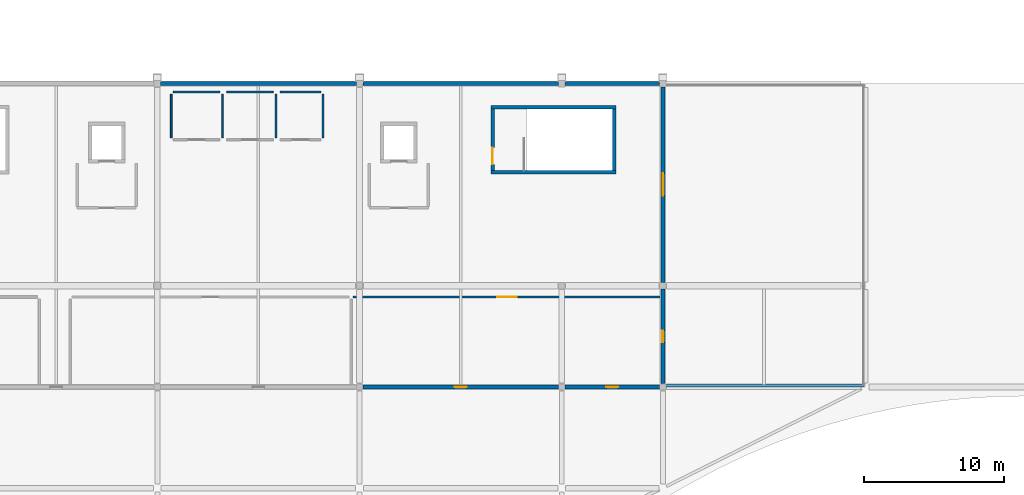
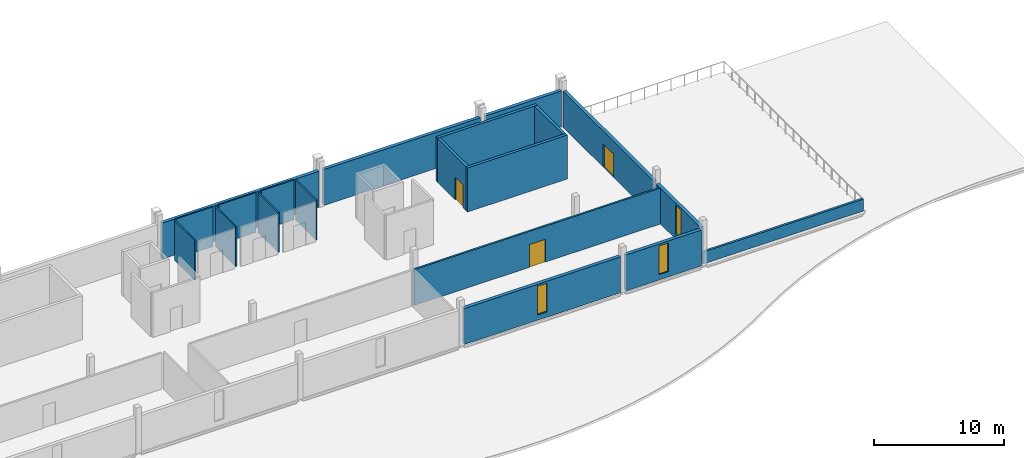
# One storey, part 7 of 23: 20 walls, 3 doors, 3 windows, 6 openings.
"""IFC4 building model written with IfcOpenShell, lengths in metres."""

from ifc_helpers import new_model, si_unit, direction, frame, frame_2d, origin, place, context, subcontext, project, spatial, rectangle, extrude, material, layer, layer_set, type_object, element, fill, save


model = new_model("IFC4")

# Units and contexts
model_context = context("Model", 3, precision=1e-05, world=origin(), true_north=direction((0.0, 1.0)))
body_context = subcontext(model_context, "Body", "Model", "MODEL_VIEW")
ifc_project = project(units=[si_unit("LENGTHUNIT", "METRE"), si_unit("AREAUNIT", "SQUARE_METRE"), si_unit("VOLUMEUNIT", "CUBIC_METRE"), si_unit("PLANEANGLEUNIT", "RADIAN"), si_unit("MASSUNIT", "GRAM", prefix="KILO")], contexts=[model_context])

# Site, building, storey
site_placement = place(None, origin())
site = spatial("IfcSite", under=ifc_project, at=site_placement, CompositionType="ELEMENT")
building_placement = place(site_placement, origin())
building = spatial("IfcBuilding", under=site, at=building_placement, Name="Cendralis Lancet Convention Centre", CompositionType="ELEMENT")
storey_placement = place(building_placement, frame((0.0, 0.0, 19.800048828125)))
storey = spatial("IfcBuildingStorey", under=building, at=storey_placement, Name="L04", CompositionType="ELEMENT", Elevation=19.800048828125)

# Walls
ifc_material_1 = material(Name="Buff sandstone ashlar and Concrete G40 (C40/50)", Category="masonry")
ifc_layer_1 = layer(ifc_material_1, 0.18994140625, Name="Buff sandstone ashlar and Concrete G40 (C40/50)")
ifc_layer_set_1 = layer_set([ifc_layer_1], Name="Buff sandstone ashlar and Concrete G40 (C40/50)")
wall_type_1 = type_object("IfcWallType", Name="ARC-EW-P190", PredefinedType="PARAPET", material=ifc_layer_set_1)
wall_1_placement = place(storey_placement, frame((79.199951171875, 14.5, 0.0), z_axis=(0.0, 0.0, 1.0), x_axis=(1.0, 0.0, 0.0)))
element("IfcWall", 1, at=wall_1_placement, inside=storey, type_object=wall_type_1, Name="L04 Roof Parapet Wall PR-02 #010", PredefinedType="PARAPET", context=body_context, shape_type="SweptSolid", body=[
    extrude(rectangle(XDim=14.280029296875, YDim=0.18994140625, at=frame_2d((7.14013671875, 0.0))), origin(), (0.0, 0.0, 1.0), 1.119873046875),
])
ifc_layer_2 = layer(ifc_material_1, 0.300048828125, Name="Buff sandstone ashlar and Concrete G40 (C40/50)")
ifc_layer_set_2 = layer_set([ifc_layer_2], Name="Buff sandstone ashlar and Concrete G40 (C40/50)")
wall_type_2 = type_object("IfcWallType", Name="ARC-EW-W300", PredefinedType="STANDARD", material=ifc_layer_set_2)
wall_2_placement = place(storey_placement, frame((43.43310546875, 36.0, 0.0), z_axis=(0.0, 0.0, 1.0), x_axis=(1.0, 0.0, 0.0)))
element("IfcWall", 2, at=wall_2_placement, inside=storey, type_object=wall_type_2, Name="L04 V4 Exterior Wall EW-07 #0235", PredefinedType="STANDARD", context=body_context, shape_type="SweptSolid", body=[
    extrude(rectangle(XDim=13.933837890625, YDim=0.300048828125, at=frame_2d((6.966796875, 0.0))), origin(), (0.0, 0.0, 1.0), 3.385009765625),
])
wall_3_placement = place(storey_placement, frame((57.8330078125, 36.0, 0.0), z_axis=(0.0, 0.0, 1.0), x_axis=(1.0, 0.0, 0.0)))
element("IfcWall", 3, at=wall_3_placement, inside=storey, type_object=wall_type_2, Name="L04 V4 Exterior Wall EW-07 #0237", PredefinedType="STANDARD", context=body_context, shape_type="SweptSolid", body=[
    extrude(rectangle(XDim=13.93408203125, YDim=0.300048828125, at=frame_2d((6.967041015625, 0.0))), origin(), (0.0, 0.0, 1.0), 3.385009765625),
])

# Wall, opening, window
wall_4_placement = place(storey_placement, frame((71.76708984375, 14.39990234375, 0.0), z_axis=(0.0, 0.0, 1.0), x_axis=(-1.0, 0.0, 0.0)))
wall_4 = element("IfcWall", 4, at=wall_4_placement, inside=storey, type_object=wall_type_2, Name="L04 V4 Exterior Wall EW-07 #0238", PredefinedType="STANDARD", context=body_context, shape_type="SweptSolid", body=[
    extrude(rectangle(XDim=13.93408203125, YDim=0.300048828125, at=frame_2d((6.967041015625, 0.0))), origin(), (0.0, 0.0, 1.0), 3.385009765625),
])
opening_1_placement = place(wall_4_placement, frame((6.547119140625, 0.0, 0.5)))
opening_1 = element("IfcOpeningElement", 5, at=opening_1_placement, cuts=wall_4, Name="Opening WN-15", PredefinedType="OPENING", context=body_context, shape_type="SweptSolid", body=[
    extrude(rectangle(XDim=0.840087890625, YDim=2.699951171875, at=frame_2d((0.419921875, 1.35009765625))), frame((0.0, 0.159912109375, 0.0), z_axis=(0.0, -1.0, 0.0), x_axis=(1.0, 0.0, 0.0)), (0.0, 0.0, 1.0), 0.320068359375),
])
ifc_material_2 = material(Name="Double-glazed low-E solar-control glass", Category="glass")
window_type = type_object("IfcWindowType", Name="ARC-WN-LW15", PartitioningType="SINGLE_PANEL", PredefinedType="WINDOW", material=ifc_material_2)
window_1_placement = place(opening_1_placement, origin())
window_1 = element("IfcWindow", 6, at=window_1_placement, inside=storey, type_object=window_type, Name="Gothic Lancet Window WN-15 #0469", OverallHeight=2.699951171875, OverallWidth=0.840087890625, PartitioningType="SINGLE_PANEL", PredefinedType="WINDOW", context=body_context, shape_type="SweptSolid", body=[
    extrude(rectangle(XDim=0.840087890625, YDim=2.699951171875, at=frame_2d((0.419921875, 1.35009765625))), frame((0.0, 0.030029296875, 0.0), z_axis=(0.0, -1.0, 0.0), x_axis=(1.0, 0.0, 0.0)), (0.0, 0.0, 1.0), 0.06005859375),
])
fill(opening_1, window_1)

# Wall
wall_5_placement = place(storey_placement, frame((72.23291015625, 36.0, 0.0), z_axis=(0.0, 0.0, 1.0), x_axis=(1.0, 0.0, 0.0)))
element("IfcWall", 7, at=wall_5_placement, inside=storey, type_object=wall_type_2, Name="L04 V4 Exterior Wall EW-07 #0239", PredefinedType="STANDARD", context=body_context, shape_type="SweptSolid", body=[
    extrude(rectangle(XDim=6.734130859375, YDim=0.300048828125, at=frame_2d((3.3671875, 0.0))), origin(), (0.0, 0.0, 1.0), 3.385009765625),
])

# Wall, opening, window
wall_6_placement = place(storey_placement, frame((78.967041015625, 14.39990234375, 0.0), z_axis=(0.0, 0.0, 1.0), x_axis=(-1.0, 0.0, 0.0)))
wall_6 = element("IfcWall", 8, at=wall_6_placement, inside=storey, type_object=wall_type_2, Name="L04 V4 Exterior Wall EW-07 #0240", PredefinedType="STANDARD", context=body_context, shape_type="SweptSolid", body=[
    extrude(rectangle(XDim=6.734130859375, YDim=0.300048828125, at=frame_2d((3.3671875, 0.0))), origin(), (0.0, 0.0, 1.0), 3.385009765625),
])
opening_2_placement = place(wall_6_placement, frame((2.947021484375, 0.0, 0.5)))
opening_2 = element("IfcOpeningElement", 9, at=opening_2_placement, cuts=wall_6, Name="Opening WN-15", PredefinedType="OPENING", context=body_context, shape_type="SweptSolid", body=[
    extrude(rectangle(XDim=0.840087890625, YDim=2.699951171875, at=frame_2d((0.419921875, 1.35009765625))), frame((0.0, 0.159912109375, 0.0), z_axis=(0.0, -1.0, 0.0), x_axis=(1.0, 0.0, 0.0)), (0.0, 0.0, 1.0), 0.320068359375),
])
window_2_placement = place(opening_2_placement, origin())
window_2 = element("IfcWindow", 10, at=window_2_placement, inside=storey, type_object=window_type, Name="Gothic Lancet Window WN-15 #0470", OverallHeight=2.699951171875, OverallWidth=0.840087890625, PartitioningType="SINGLE_PANEL", PredefinedType="WINDOW", context=body_context, shape_type="SweptSolid", body=[
    extrude(rectangle(XDim=0.840087890625, YDim=2.699951171875, at=frame_2d((0.419921875, 1.35009765625))), frame((0.0, 0.030029296875, 0.0), z_axis=(0.0, -1.0, 0.0), x_axis=(1.0, 0.0, 0.0)), (0.0, 0.0, 1.0), 0.06005859375),
])
fill(opening_2, window_2)

# Wall, opening, door
wall_7_placement = place(storey_placement, frame((79.199951171875, 35.76708984375, 0.0), z_axis=(0.0, 0.0, 1.0), x_axis=(0.0, -1.0, 0.0)))
wall_7 = element("IfcWall", 11, at=wall_7_placement, inside=storey, type_object=wall_type_2, Name="L04 V4 Exterior Wall EW-07 #0243", PredefinedType="STANDARD", context=body_context, shape_type="SweptSolid", body=[
    extrude(rectangle(XDim=13.93408203125, YDim=0.300048828125, at=frame_2d((6.967041015625, 0.0))), origin(), (0.0, 0.0, 1.0), 3.385009765625),
])
opening_3_placement = place(wall_7_placement, frame((6.1669921875, 0.0, 0.0)))
opening_3 = element("IfcOpeningElement", 12, at=opening_3_placement, cuts=wall_7, Name="Opening TR-D1", PredefinedType="OPENING", context=body_context, shape_type="SweptSolid", body=[
    extrude(rectangle(XDim=1.60009765625, YDim=2.199951171875, at=frame_2d((0.800048828125, 1.10009765625))), frame((0.0, 0.159912109375, 0.0), z_axis=(0.0, -1.0, 0.0), x_axis=(1.0, 0.0, 0.0)), (0.0, 0.0, 1.0), 0.320068359375),
])
ifc_material_3 = material(Name="Anodised bronze architectural aluminium", Category="aluminium")
door_type_1 = type_object("IfcDoorType", Name="ARC-DR-TR16", OperationType="NOTDEFINED", PredefinedType="DOOR", material=ifc_material_3)
door_1_placement = place(opening_3_placement, origin())
door_1 = element("IfcDoor", 13, at=door_1_placement, inside=storey, type_object=door_type_1, Name="L04-D002 Terrace Access Door #051", OperationType="DOUBLE_DOOR_SINGLE_SWING", OverallHeight=2.199951171875, OverallWidth=1.60009765625, PredefinedType="DOOR", context=body_context, shape_type="SweptSolid", body=[
    extrude(rectangle(XDim=1.60009765625, YDim=2.199951171875, at=frame_2d((0.800048828125, 1.10009765625))), frame((0.0, 0.02490234375, 0.0), z_axis=(0.0, -1.0, 0.0), x_axis=(1.0, 0.0, 0.0)), (0.0, 0.0, 1.0), 0.050048828125),
])
fill(opening_3, door_1)

# Wall, opening, window
wall_8_placement = place(storey_placement, frame((79.199951171875, 21.366943359375, 0.0), z_axis=(0.0, 0.0, 1.0), x_axis=(0.0, -1.0, 0.0)))
wall_8 = element("IfcWall", 14, at=wall_8_placement, inside=storey, type_object=wall_type_2, Name="L04 V4 Exterior Wall EW-07 #0244", PredefinedType="STANDARD", context=body_context, shape_type="SweptSolid", body=[
    extrude(rectangle(XDim=6.73388671875, YDim=0.300048828125, at=frame_2d((3.366943359375, 0.0))), origin(), (0.0, 0.0, 1.0), 3.385009765625),
])
opening_4_placement = place(wall_8_placement, frame((2.947021484375, 0.0, 0.5)))
opening_4 = element("IfcOpeningElement", 15, at=opening_4_placement, cuts=wall_8, Name="Opening WN-15", PredefinedType="OPENING", context=body_context, shape_type="SweptSolid", body=[
    extrude(rectangle(XDim=0.840087890625, YDim=2.699951171875, at=frame_2d((0.419921875, 1.35009765625))), frame((0.0, 0.159912109375, 0.0), z_axis=(0.0, -1.0, 0.0), x_axis=(1.0, 0.0, 0.0)), (0.0, 0.0, 1.0), 0.320068359375),
])
window_3_placement = place(opening_4_placement, origin())
window_3 = element("IfcWindow", 16, at=window_3_placement, inside=storey, type_object=window_type, Name="Gothic Lancet Window WN-15 #0471", OverallHeight=2.699951171875, OverallWidth=0.840087890625, PartitioningType="SINGLE_PANEL", PredefinedType="WINDOW", context=body_context, shape_type="SweptSolid", body=[
    extrude(rectangle(XDim=0.840087890625, YDim=2.699951171875, at=frame_2d((0.419921875, 1.35009765625))), frame((0.0, 0.030029296875, 0.0), z_axis=(0.0, -1.0, 0.0), x_axis=(1.0, 0.0, 0.0)), (0.0, 0.0, 1.0), 0.06005859375),
])
fill(opening_4, window_3)

# Walls
ifc_material_4 = material(Name="Acoustic fire-rated gypsum board on steel studs", Category="steel")
ifc_layer_3 = layer(ifc_material_4, 0.1201171875, Name="Acoustic fire-rated gypsum board on steel studs")
ifc_layer_set_3 = layer_set([ifc_layer_3], Name="Acoustic fire-rated gypsum board on steel studs")
wall_type_3 = type_object("IfcWallType", Name="ARC-IW-P120", PredefinedType="PARTITIONING", material=ifc_layer_set_3)
wall_9_placement = place(storey_placement, frame((44.35009765625, 35.39990234375, 0.0), z_axis=(0.0, 0.0, 1.0), x_axis=(1.0, 0.0, 0.0)))
element("IfcWall", 17, at=wall_9_placement, inside=storey, type_object=wall_type_3, Name="L04 Interior Partition IW-05 #0315", PredefinedType="PARTITIONING", context=body_context, shape_type="SweptSolid", body=[
    extrude(rectangle(XDim=3.2998046875, YDim=0.1201171875, at=frame_2d((1.64990234375, 0.0))), origin(), (0.0, 0.0, 1.0), 3.75),
])
for number, where, z_axis, x_axis, name in (
    (18, (44.199951171875, 32.139892578125, 0.0), (0.0, 0.0, 1.0), (0.0, 1.0, 0.0), "L04 Interior Partition IW-05 #0316"),
    (19, (47.85009765625, 32.139892578125, 0.0), (0.0, 0.0, 1.0), (0.0, 1.0, 0.0), "L04 Interior Partition IW-05 #0317"),
):
    element("IfcWall", number, at=place(storey_placement, frame(where, z_axis=z_axis, x_axis=x_axis)), inside=storey, type_object=wall_type_3, Name=name, PredefinedType="PARTITIONING", context=body_context, shape_type="SweptSolid", body=[
        extrude(rectangle(XDim=3.1201171875, YDim=0.1201171875, at=frame_2d((1.56005859375, 0.0))), origin(), (0.0, 0.0, 1.0), 3.75),
    ])
wall_10_placement = place(storey_placement, frame((48.14990234375, 35.39990234375, 0.0), z_axis=(0.0, 0.0, 1.0), x_axis=(1.0, 0.0, 0.0)))
element("IfcWall", 20, at=wall_10_placement, inside=storey, type_object=wall_type_3, Name="L04 Interior Partition IW-05 #0319", PredefinedType="PARTITIONING", context=body_context, shape_type="SweptSolid", body=[
    extrude(rectangle(XDim=3.300048828125, YDim=0.1201171875, at=frame_2d((1.64990234375, 0.0))), origin(), (0.0, 0.0, 1.0), 3.75),
])
wall_11_placement = place(storey_placement, frame((51.64990234375, 32.139892578125, 0.0), z_axis=(0.0, 0.0, 1.0), x_axis=(0.0, 1.0, 0.0)))
element("IfcWall", 21, at=wall_11_placement, inside=storey, type_object=wall_type_3, Name="L04 Interior Partition IW-05 #0320", PredefinedType="PARTITIONING", context=body_context, shape_type="SweptSolid", body=[
    extrude(rectangle(XDim=3.1201171875, YDim=0.1201171875, at=frame_2d((1.56005859375, 0.0))), origin(), (0.0, 0.0, 1.0), 3.75),
])
wall_12_placement = place(storey_placement, frame((51.949951171875, 35.39990234375, 0.0), z_axis=(0.0, 0.0, 1.0), x_axis=(1.0, 0.0, 0.0)))
element("IfcWall", 22, at=wall_12_placement, inside=storey, type_object=wall_type_3, Name="L04 Interior Partition IW-05 #0322", PredefinedType="PARTITIONING", context=body_context, shape_type="SweptSolid", body=[
    extrude(rectangle(XDim=2.900146484375, YDim=0.1201171875, at=frame_2d((1.4501953125, 0.0))), origin(), (0.0, 0.0, 1.0), 3.75),
])
wall_13_placement = place(storey_placement, frame((55.0, 32.139892578125, 0.0), z_axis=(0.0, 0.0, 1.0), x_axis=(0.0, 1.0, 0.0)))
element("IfcWall", 23, at=wall_13_placement, inside=storey, type_object=wall_type_3, Name="L04 Interior Partition IW-05 #0323", PredefinedType="PARTITIONING", context=body_context, shape_type="SweptSolid", body=[
    extrude(rectangle(XDim=3.1201171875, YDim=0.1201171875, at=frame_2d((1.56005859375, 0.0))), origin(), (0.0, 0.0, 1.0), 3.75),
])

# Wall, opening, door
ifc_layer_4 = layer(ifc_material_4, 0.159912109375, Name="Acoustic fire-rated gypsum board on steel studs")
ifc_layer_set_4 = layer_set([ifc_layer_4], Name="Acoustic fire-rated gypsum board on steel studs")
wall_type_4 = type_object("IfcWallType", Name="ARC-IW-P160", PredefinedType="PARTITIONING", material=ifc_layer_set_4)
wall_14_placement = place(storey_placement, frame((57.139892578125, 20.800048828125, 0.0), z_axis=(0.0, 0.0, 1.0), x_axis=(1.0, 0.0, 0.0)))
wall_14 = element("IfcWall", 24, at=wall_14_placement, inside=storey, type_object=wall_type_4, Name="L04 Interior Partition IW-03 #0311", PredefinedType="PARTITIONING", context=body_context, shape_type="SweptSolid", body=[
    extrude(rectangle(XDim=21.900146484375, YDim=0.159912109375, at=frame_2d((10.9501953125, 0.0))), origin(), (0.0, 0.0, 1.0), 3.385009765625),
])
opening_5_placement = place(wall_14_placement, frame((10.25, 0.0, 0.0)))
opening_5 = element("IfcOpeningElement", 25, at=opening_5_placement, cuts=wall_14, Name="Opening ID-14", PredefinedType="OPENING", context=body_context, shape_type="SweptSolid", body=[
    extrude(rectangle(XDim=1.39990234375, YDim=2.14990234375, at=frame_2d((0.699951171875, 1.074951171875))), frame((0.0, 0.08984375, 0.0), z_axis=(0.0, -1.0, 0.0), x_axis=(1.0, 0.0, 0.0)), (0.0, 0.0, 1.0), 0.179931640625),
])
ifc_material_5 = material(Name="Acoustic Chilean lenga timber and steel fire leaf", Category="steel")
door_type_2 = type_object("IfcDoorType", Name="ARC-DR-DB14", OperationType="NOTDEFINED", PredefinedType="DOOR", material=ifc_material_5)
door_2_placement = place(opening_5_placement, frame((1.39990234375, 0.0, 0.0), z_axis=(0.0, 0.0, 1.0), x_axis=(-1.0, 0.0, 0.0)))
door_2 = element("IfcDoor", 26, at=door_2_placement, inside=storey, type_object=door_type_2, Name="L04-D006 L04 Interior Door ID-14 #0103", OperationType="DOUBLE_DOOR_SINGLE_SWING", OverallHeight=2.14990234375, OverallWidth=1.39990234375, PredefinedType="DOOR", context=body_context, shape_type="SweptSolid", body=[
    extrude(rectangle(XDim=1.39990234375, YDim=2.14990234375, at=frame_2d((0.699951171875, 1.074951171875))), frame((0.0, 0.02490234375, 0.0), z_axis=(0.0, -1.0, 0.0), x_axis=(1.0, 0.0, 0.0)), (0.0, 0.0, 1.0), 0.050048828125),
])
fill(opening_5, door_2)

ifc_material_6 = material(Name="Concrete G40 (C40/50)", Category="concrete")
ifc_layer_5 = layer(ifc_material_6, 0.25, Name="Concrete G40 (C40/50)")
ifc_layer_set_5 = layer_set([ifc_layer_5], Name="Concrete G40 (C40/50)")
wall_type_5 = type_object("IfcWallType", Name="STR-SW-CW250", PredefinedType="SHEAR", material=ifc_layer_set_5)
wall_15_placement = place(storey_placement, frame((67.074951171875, 29.800048828125, 0.0), z_axis=(0.0, 0.0, 1.0), x_axis=(0.0, 1.0, 0.0)))
wall_15 = element("IfcWall", 27, at=wall_15_placement, inside=storey, type_object=wall_type_5, Name="L04 Stair Core ST-12 West Shear Wall", PredefinedType="SHEAR", context=body_context, shape_type="SweptSolid", body=[
    extrude(rectangle(XDim=4.3798828125, YDim=0.25, at=frame_2d((2.18994140625, 0.0))), origin(), (0.0, 0.0, 1.0), 4.14990234375),
])
opening_6_placement = place(wall_15_placement, frame((0.449951171875, 0.0, 0.0)))
opening_6 = element("IfcOpeningElement", 28, at=opening_6_placement, cuts=wall_15, Name="Opening SD-12", PredefinedType="OPENING", context=body_context, shape_type="SweptSolid", body=[
    extrude(rectangle(XDim=1.199951171875, YDim=2.14990234375, at=frame_2d((0.60009765625, 1.074951171875))), frame((0.0, 0.135009765625, 0.0), z_axis=(0.0, -1.0, 0.0), x_axis=(1.0, 0.0, 0.0)), (0.0, 0.0, 1.0), 0.27001953125),
])
ifc_material_7 = material(Name="Steel S355", Category="steel")
door_type_3 = type_object("IfcDoorType", Name="ARC-DR-ST12", OperationType="NOTDEFINED", PredefinedType="DOOR", material=ifc_material_7)
door_3_placement = place(opening_6_placement, frame((1.199951171875, 0.0, 0.0), z_axis=(0.0, 0.0, 1.0), x_axis=(-1.0, 0.0, 0.0)))
door_3 = element("IfcDoor", 29, at=door_3_placement, inside=storey, type_object=door_type_3, Name="L04-D032 L04 Exit Stair ST-12 Fire Door", OperationType="SINGLE_SWING_RIGHT", OverallHeight=2.14990234375, OverallWidth=1.199951171875, PredefinedType="DOOR", context=body_context, shape_type="SweptSolid", body=[
    extrude(rectangle(XDim=1.199951171875, YDim=2.14990234375, at=frame_2d((0.60009765625, 1.074951171875))), frame((0.0, 0.02490234375, 0.0), z_axis=(0.0, -1.0, 0.0), x_axis=(1.0, 0.0, 0.0)), (0.0, 0.0, 1.0), 0.050048828125),
])
fill(opening_6, door_3)

# Walls
wall_16_placement = place(storey_placement, frame((75.72509765625, 29.800048828125, 0.0), z_axis=(0.0, 0.0, 1.0), x_axis=(0.0, 1.0, 0.0)))
element("IfcWall", 30, at=wall_16_placement, inside=storey, type_object=wall_type_5, Name="L04 Stair Core ST-12 East Shear Wall", PredefinedType="SHEAR", context=body_context, shape_type="SweptSolid", body=[
    extrude(rectangle(XDim=4.3798828125, YDim=0.25, at=frame_2d((2.18994140625, 0.0))), origin(), (0.0, 0.0, 1.0), 4.14990234375),
])
for number, where, z_axis, x_axis, name in (
    (31, (66.949951171875, 29.675048828125, 0.0), (0.0, 0.0, 1.0), (1.0, 0.0, 0.0), "L04 Stair Core ST-12 South Shear Wall"),
    (32, (66.949951171875, 34.304931640625, 0.0), (0.0, 0.0, 1.0), (1.0, 0.0, 0.0), "L04 Stair Core ST-12 North Shear Wall"),
):
    element("IfcWall", number, at=place(storey_placement, frame(where, z_axis=z_axis, x_axis=x_axis)), inside=storey, type_object=wall_type_5, Name=name, PredefinedType="SHEAR", context=body_context, shape_type="SweptSolid", body=[
        extrude(rectangle(XDim=8.900146484375, YDim=0.25, at=frame_2d((4.4501953125, 0.0))), origin(), (0.0, 0.0, 1.0), 4.14990234375),
    ])

save(model, "model.ifc")
